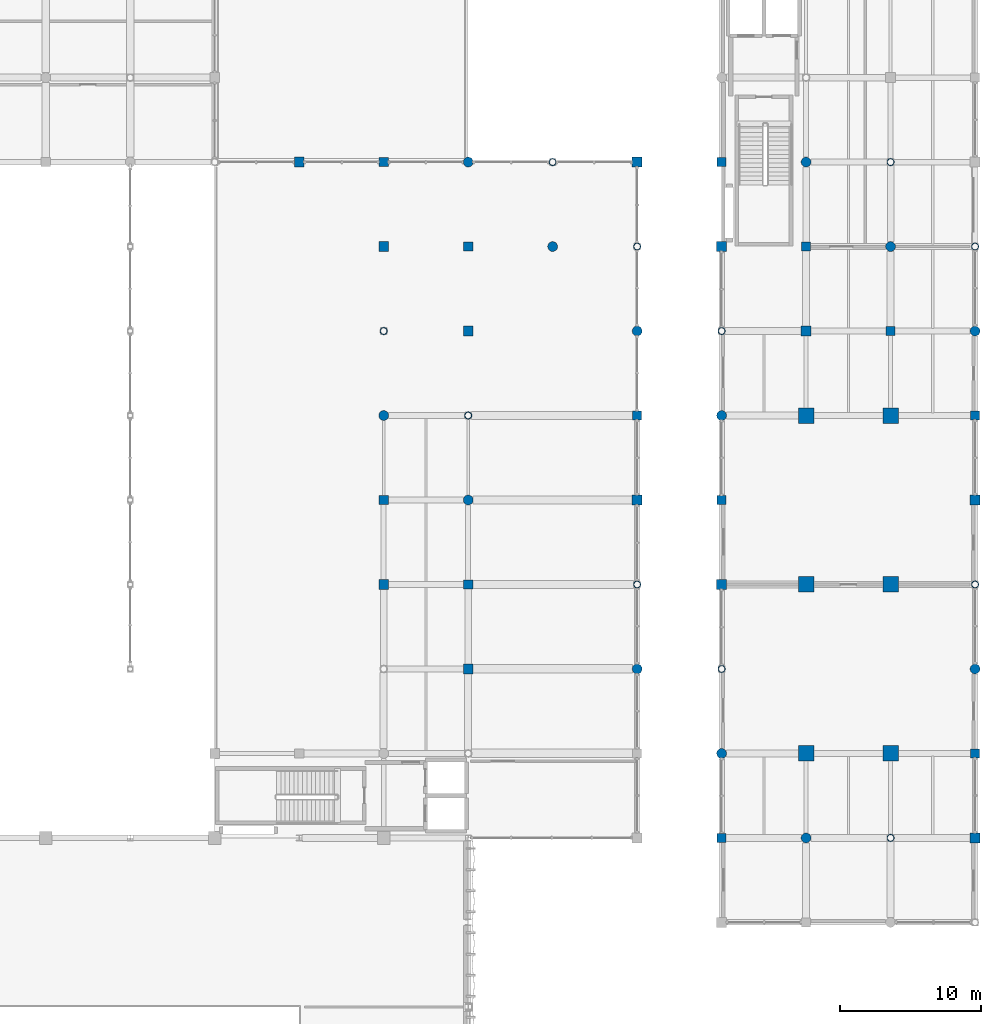
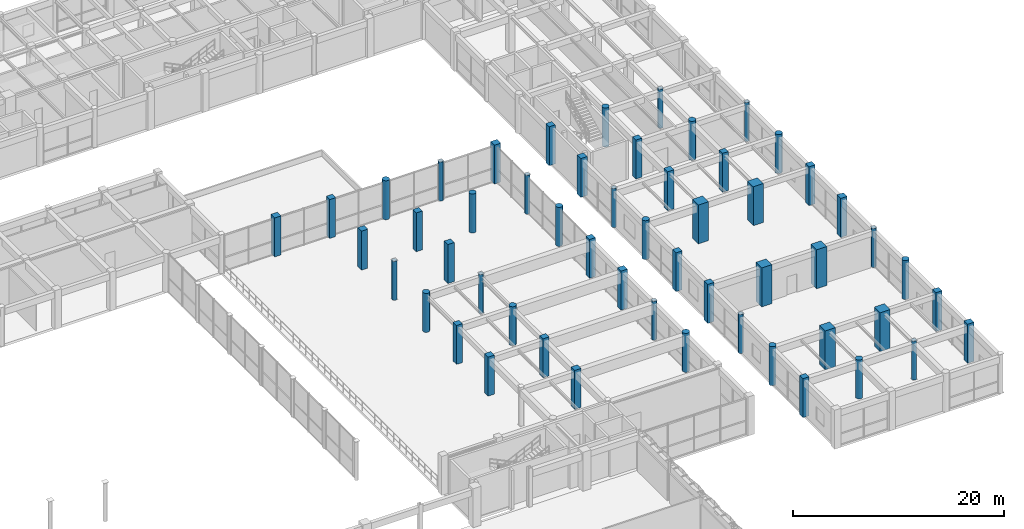
# One storey, part 12 of 116: 54 columns.
"""IFC4 building model written with IfcOpenShell, lengths in metres."""

from ifc_helpers import new_model, si_unit, direction, frame, origin, origin_2d, place, context, subcontext, project, spatial, rectangle, circle, hollow_circle, extrude, material, material_profile, profile_set, type_object, element, save


model = new_model("IFC4")

# Units and contexts
model_context = context("Model", 3, precision=1e-05, world=origin(), true_north=direction((0.0, 1.0)))
body_context = subcontext(model_context, "Body", "Model", "MODEL_VIEW")
ifc_project = project(units=[si_unit("LENGTHUNIT", "METRE"), si_unit("AREAUNIT", "SQUARE_METRE"), si_unit("VOLUMEUNIT", "CUBIC_METRE"), si_unit("PLANEANGLEUNIT", "RADIAN"), si_unit("MASSUNIT", "GRAM", prefix="KILO"), si_unit("THERMODYNAMICTEMPERATUREUNIT", "KELVIN"), si_unit("POWERUNIT", "WATT")], contexts=[model_context])

# Site, building, storey
site_placement = place(None, origin())
site = spatial("IfcSite", under=ifc_project, at=site_placement, CompositionType="ELEMENT")
building_placement = place(site_placement, origin())
building = spatial("IfcBuilding", under=site, at=building_placement, Name="Phaisarnlok Congress Hotel", CompositionType="ELEMENT")
storey_placement = place(building_placement, frame((0.0, 0.0, 10.5)))
storey = spatial("IfcBuildingStorey", under=building, at=storey_placement, Name="L02", CompositionType="ELEMENT", Elevation=10.5)

# Columns
ifc_material_1 = material(Name="Concrete C50/60", Category="concrete")
ifc_material_profile_1 = material_profile(ifc_material_1, rectangle(XDim=1.10009765625, YDim=1.10009765625, at=origin_2d()), Name="RC 1100x1100")
ifc_profile_set_1 = profile_set([ifc_material_profile_1], Name="Concrete C50/60")
column_type_1 = type_object("IfcColumnType", Name="COL-RC-1100", PredefinedType="COLUMN", material=ifc_profile_set_1)
for number, where, z_axis, x_axis, name in (
    (1, (168.0, 42.0, 0.0), (0.0, 0.0, 1.0), (1.0, 0.0, 0.0), "Column C-10 (L02)"),
    (2, (168.0, 54.0, 0.0), (0.0, 0.0, 1.0), (1.0, 0.0, 0.0), "Column C-10 (L02)"),
    (3, (168.0, 66.0, 0.0), (0.0, 0.0, 1.0), (1.0, 0.0, 0.0), "Column C-10 (L02)"),
    (4, (174.0, 42.0, 0.0), (0.0, 0.0, 1.0), (1.0, 0.0, 0.0), "Column C-10 (L02)"),
    (5, (174.0, 54.0, 0.0), (0.0, 0.0, 1.0), (1.0, 0.0, 0.0), "Column C-10 (L02)"),
    (6, (174.0, 66.0, 0.0), (0.0, 0.0, 1.0), (1.0, 0.0, 0.0), "Column C-10 (L02)"),
):
    element("IfcColumn", number, at=place(storey_placement, frame(where, z_axis=z_axis, x_axis=x_axis)), inside=storey, type_object=column_type_1, Name=name, PredefinedType="COLUMN", context=body_context, shape_type="SweptSolid", body=[
        extrude(rectangle(XDim=1.10009765625, YDim=1.10009765625, at=origin_2d()), origin(), (0.0, 0.0, 1.0), 4.5),
    ])
ifc_material_profile_2 = material_profile(ifc_material_1, rectangle(XDim=0.64990234375, YDim=0.64990234375, at=origin_2d()), Name="RC 650x650")
ifc_profile_set_2 = profile_set([ifc_material_profile_2], Name="Concrete C50/60")
column_type_2 = type_object("IfcColumnType", Name="COL-RC-650", PredefinedType="COLUMN", material=ifc_profile_set_2)
for number, where, z_axis, x_axis, name in (
    (7, (138.0, 60.0, 0.0), (0.0, 0.0, 1.0), (1.0, 0.0, 0.0), "Column C-04 (L02)"),
    (8, (138.0, 84.0, 0.0), (0.0, 0.0, 1.0), (1.0, 0.0, 0.0), "Column C-04 (L02)"),
    (9, (144.0, 54.0, 0.0), (0.0, 0.0, 1.0), (1.0, 0.0, 0.0), "Column C-04 (L02)"),
    (10, (144.0, 78.0, 0.0), (0.0, 0.0, 1.0), (1.0, 0.0, 0.0), "Column C-04 (L02)"),
    (11, (156.0, 66.0, 0.0), (0.0, 0.0, 1.0), (1.0, 0.0, 0.0), "Column C-04 (L02)"),
    (12, (162.0, 36.0, 0.0), (0.0, 0.0, 1.0), (1.0, 0.0, 0.0), "Column C-04 (L02)"),
    (13, (162.0, 60.0, 0.0), (0.0, 0.0, 1.0), (1.0, 0.0, 0.0), "Column C-04 (L02)"),
    (14, (162.0, 84.0, 0.0), (0.0, 0.0, 1.0), (1.0, 0.0, 0.0), "Column C-04 (L02)"),
    (15, (168.0, 78.0, 0.0), (0.0, 0.0, 1.0), (1.0, 0.0, 0.0), "Column C-04 (L02)"),
    (16, (174.0, 72.0, 0.0), (0.0, 0.0, 1.0), (1.0, 0.0, 0.0), "Column C-04 (L02)"),
):
    element("IfcColumn", number, at=place(storey_placement, frame(where, z_axis=z_axis, x_axis=x_axis)), inside=storey, type_object=column_type_2, Name=name, PredefinedType="COLUMN", context=body_context, shape_type="SweptSolid", body=[
        extrude(rectangle(XDim=0.64990234375, YDim=0.64990234375, at=origin_2d()), origin(), (0.0, 0.0, 1.0), 4.5),
    ])
ifc_material_profile_3 = material_profile(ifc_material_1, rectangle(XDim=0.64990234375, YDim=0.64990234375, at=origin_2d()), Name="RC 650x650")
ifc_profile_set_3 = profile_set([ifc_material_profile_3], Name="Concrete C50/60")
column_type_3 = type_object("IfcColumnType", Name="COL-RC-650-EXT", PredefinedType="COLUMN", material=ifc_profile_set_3)
for number, where, z_axis, x_axis, name in (
    (17, (180.0, 42.0, 0.0), (0.0, 0.0, 1.0), (1.0, 0.0, 0.0), "Column C-04E (L02)"),
    (18, (180.0, 66.0, 0.0), (0.0, 0.0, 1.0), (1.0, 0.0, 0.0), "Column C-04E (L02)"),
):
    element("IfcColumn", number, at=place(storey_placement, frame(where, z_axis=z_axis, x_axis=x_axis)), inside=storey, type_object=column_type_3, Name=name, PredefinedType="COLUMN", context=body_context, shape_type="SweptSolid", body=[
        extrude(rectangle(XDim=0.64990234375, YDim=0.64990234375, at=origin_2d()), origin(), (0.0, 0.0, 1.0), 4.5),
    ])
ifc_material_profile_4 = material_profile(ifc_material_1, rectangle(XDim=0.699951171875, YDim=0.699951171875, at=origin_2d()), Name="RC 700x700")
ifc_profile_set_4 = profile_set([ifc_material_profile_4], Name="Concrete C50/60")
column_type_4 = type_object("IfcColumnType", Name="COL-RC-700", PredefinedType="COLUMN", material=ifc_profile_set_4)
for number, where, z_axis, x_axis, name in (
    (19, (132.0, 84.0, 0.0), (0.0, 0.0, 1.0), (1.0, 0.0, 0.0), "Column C-05 (L02)"),
    (20, (138.0, 54.0, 0.0), (0.0, 0.0, 1.0), (1.0, 0.0, 0.0), "Column C-05 (L02)"),
    (21, (138.0, 78.0, 0.0), (0.0, 0.0, 1.0), (1.0, 0.0, 0.0), "Column C-05 (L02)"),
    (22, (144.0, 48.0, 0.0), (0.0, 0.0, 1.0), (1.0, 0.0, 0.0), "Column C-05 (L02)"),
    (23, (144.0, 72.0, 0.0), (0.0, 0.0, 1.0), (1.0, 0.0, 0.0), "Column C-05 (L02)"),
    (24, (156.0, 60.0, 0.0), (0.0, 0.0, 1.0), (1.0, 0.0, 0.0), "Column C-05 (L02)"),
    (25, (156.0, 84.0, 0.0), (0.0, 0.0, 1.0), (1.0, 0.0, 0.0), "Column C-05 (L02)"),
    (26, (162.0, 54.0, 0.0), (0.0, 0.0, 1.0), (1.0, 0.0, 0.0), "Column C-05 (L02)"),
    (27, (162.0, 78.0, 0.0), (0.0, 0.0, 1.0), (1.0, 0.0, 0.0), "Column C-05 (L02)"),
    (28, (168.0, 72.0, 0.0), (0.0, 0.0, 1.0), (1.0, 0.0, 0.0), "Column C-05 (L02)"),
):
    element("IfcColumn", number, at=place(storey_placement, frame(where, z_axis=z_axis, x_axis=x_axis)), inside=storey, type_object=column_type_4, Name=name, PredefinedType="COLUMN", context=body_context, shape_type="SweptSolid", body=[
        extrude(rectangle(XDim=0.699951171875, YDim=0.699951171875, at=origin_2d()), origin(), (0.0, 0.0, 1.0), 4.5),
    ])
ifc_material_profile_5 = material_profile(ifc_material_1, rectangle(XDim=0.699951171875, YDim=0.699951171875, at=origin_2d()), Name="RC 700x700")
ifc_profile_set_5 = profile_set([ifc_material_profile_5], Name="Concrete C50/60")
column_type_5 = type_object("IfcColumnType", Name="COL-RC-700-EXT", PredefinedType="COLUMN", material=ifc_profile_set_5)
for number, where, z_axis, x_axis, name in (
    (29, (180.0, 36.0, 0.0), (0.0, 0.0, 1.0), (1.0, 0.0, 0.0), "Column C-05E (L02)"),
    (30, (180.0, 60.0, 0.0), (0.0, 0.0, 1.0), (1.0, 0.0, 0.0), "Column C-05E (L02)"),
):
    element("IfcColumn", number, at=place(storey_placement, frame(where, z_axis=z_axis, x_axis=x_axis)), inside=storey, type_object=column_type_5, Name=name, PredefinedType="COLUMN", context=body_context, shape_type="SweptSolid", body=[
        extrude(rectangle(XDim=0.699951171875, YDim=0.699951171875, at=origin_2d()), origin(), (0.0, 0.0, 1.0), 4.5),
    ])
ifc_material_profile_6 = material_profile(ifc_material_1, circle(Radius=0.35009765625, at=origin_2d()), Name="RCC D700")
ifc_profile_set_6 = profile_set([ifc_material_profile_6], Name="Concrete C50/60")
column_type_6 = type_object("IfcColumnType", Name="COL-RCC-700", PredefinedType="COLUMN", material=ifc_profile_set_6)
for number, where, z_axis, x_axis, name in (
    (31, (138.0, 66.0, 0.0), (0.0, 0.0, 1.0), (1.0, 0.0, 0.0), "Column C-13 (L02)"),
    (32, (144.0, 60.0, 0.0), (0.0, 0.0, 1.0), (1.0, 0.0, 0.0), "Column C-13 (L02)"),
    (33, (144.0, 84.0, 0.0), (0.0, 0.0, 1.0), (1.0, 0.0, 0.0), "Column C-13 (L02)"),
    (34, (150.0, 78.0, 0.0), (0.0, 0.0, 1.0), (1.0, 0.0, 0.0), "Column C-13 (L02)"),
    (35, (156.0, 48.0, 0.0), (0.0, 0.0, 1.0), (1.0, 0.0, 0.0), "Column C-13 (L02)"),
    (36, (156.0, 72.0, 0.0), (0.0, 0.0, 1.0), (1.0, 0.0, 0.0), "Column C-13 (L02)"),
    (37, (162.0, 42.0, 0.0), (0.0, 0.0, 1.0), (1.0, 0.0, 0.0), "Column C-13 (L02)"),
    (38, (162.0, 66.0, 0.0), (0.0, 0.0, 1.0), (1.0, 0.0, 0.0), "Column C-13 (L02)"),
    (39, (168.0, 36.0, 0.0), (0.0, 0.0, 1.0), (1.0, 0.0, 0.0), "Column C-13 (L02)"),
    (40, (168.0, 84.0, 0.0), (0.0, 0.0, 1.0), (1.0, 0.0, 0.0), "Column C-13 (L02)"),
    (41, (174.0, 78.0, 0.0), (0.0, 0.0, 1.0), (1.0, 0.0, 0.0), "Column C-13 (L02)"),
):
    element("IfcColumn", number, at=place(storey_placement, frame(where, z_axis=z_axis, x_axis=x_axis)), inside=storey, type_object=column_type_6, Name=name, PredefinedType="COLUMN", context=body_context, shape_type="SweptSolid", body=[
        extrude(circle(Radius=0.35009765625, at=origin_2d()), origin(), (0.0, 0.0, 1.0), 4.5),
    ])
ifc_material_profile_7 = material_profile(ifc_material_1, circle(Radius=0.35009765625, at=origin_2d()), Name="RCC D700")
ifc_profile_set_7 = profile_set([ifc_material_profile_7], Name="Concrete C50/60")
column_type_7 = type_object("IfcColumnType", Name="COL-RCC-700-EXT", PredefinedType="COLUMN", material=ifc_profile_set_7)
for number, where, z_axis, x_axis, name in (
    (42, (180.0, 48.0, 0.0), (0.0, 0.0, 1.0), (1.0, 0.0, 0.0), "Column C-13E (L02)"),
    (43, (180.0, 72.0, 0.0), (0.0, 0.0, 1.0), (1.0, 0.0, 0.0), "Column C-13E (L02)"),
):
    element("IfcColumn", number, at=place(storey_placement, frame(where, z_axis=z_axis, x_axis=x_axis)), inside=storey, type_object=column_type_7, Name=name, PredefinedType="COLUMN", context=body_context, shape_type="SweptSolid", body=[
        extrude(circle(Radius=0.35009765625, at=origin_2d()), origin(), (0.0, 0.0, 1.0), 4.5),
    ])
ifc_material_2 = material(Name="Steel S355", Category="steel")
ifc_material_profile_8 = material_profile(ifc_material_2, hollow_circle(Radius=0.25390625, WallThickness=0.02490234375, at=origin_2d()), Name="CHS 508x25")
ifc_profile_set_8 = profile_set([ifc_material_profile_8], Name="Steel S355")
column_type_8 = type_object("IfcColumnType", Name="COL-STL-CHS508", PredefinedType="COLUMN", material=ifc_profile_set_8)
for number, where, z_axis, x_axis, name in (
    (44, (138.0, 72.0, 0.0), (0.0, 0.0, 1.0), (1.0, 0.0, 0.0), "Column SC-03 (L02)"),
    (45, (144.0, 66.0, 0.0), (0.0, 0.0, 1.0), (1.0, 0.0, 0.0), "Column SC-03 (L02)"),
    (46, (150.0, 84.0, 0.0), (0.0, 0.0, 1.0), (1.0, 0.0, 0.0), "Column SC-03 (L02)"),
    (47, (156.0, 54.0, 0.0), (0.0, 0.0, 1.0), (1.0, 0.0, 0.0), "Column SC-03 (L02)"),
    (48, (156.0, 78.0, 0.0), (0.0, 0.0, 1.0), (1.0, 0.0, 0.0), "Column SC-03 (L02)"),
    (49, (162.0, 48.0, 0.0), (0.0, 0.0, 1.0), (1.0, 0.0, 0.0), "Column SC-03 (L02)"),
    (50, (162.0, 72.0, 0.0), (0.0, 0.0, 1.0), (1.0, 0.0, 0.0), "Column SC-03 (L02)"),
    (51, (174.0, 36.0, 0.0), (0.0, 0.0, 1.0), (1.0, 0.0, 0.0), "Column SC-03 (L02)"),
    (52, (174.0, 84.0, 0.0), (0.0, 0.0, 1.0), (1.0, 0.0, 0.0), "Column SC-03 (L02)"),
):
    element("IfcColumn", number, at=place(storey_placement, frame(where, z_axis=z_axis, x_axis=x_axis)), inside=storey, type_object=column_type_8, Name=name, PredefinedType="COLUMN", context=body_context, shape_type="SweptSolid", body=[
        extrude(hollow_circle(Radius=0.25390625, WallThickness=0.02490234375, at=origin_2d()), origin(), (0.0, 0.0, 1.0), 4.5),
    ])
ifc_material_profile_9 = material_profile(ifc_material_2, hollow_circle(Radius=0.25390625, WallThickness=0.02490234375, at=origin_2d()), Name="CHS 508x25")
ifc_profile_set_9 = profile_set([ifc_material_profile_9], Name="Steel S355")
column_type_9 = type_object("IfcColumnType", Name="COL-STL-CHS508-EXT", PredefinedType="COLUMN", material=ifc_profile_set_9)
for number, where, z_axis, x_axis, name in (
    (53, (180.0, 54.0, 0.0), (0.0, 0.0, 1.0), (1.0, 0.0, 0.0), "Column SC-03E (L02)"),
    (54, (180.0, 78.0, 0.0), (0.0, 0.0, 1.0), (1.0, 0.0, 0.0), "Column SC-03E (L02)"),
):
    element("IfcColumn", number, at=place(storey_placement, frame(where, z_axis=z_axis, x_axis=x_axis)), inside=storey, type_object=column_type_9, Name=name, PredefinedType="COLUMN", context=body_context, shape_type="SweptSolid", body=[
        extrude(hollow_circle(Radius=0.25390625, WallThickness=0.02490234375, at=origin_2d()), origin(), (0.0, 0.0, 1.0), 4.5),
    ])

save(model, "model.ifc")
